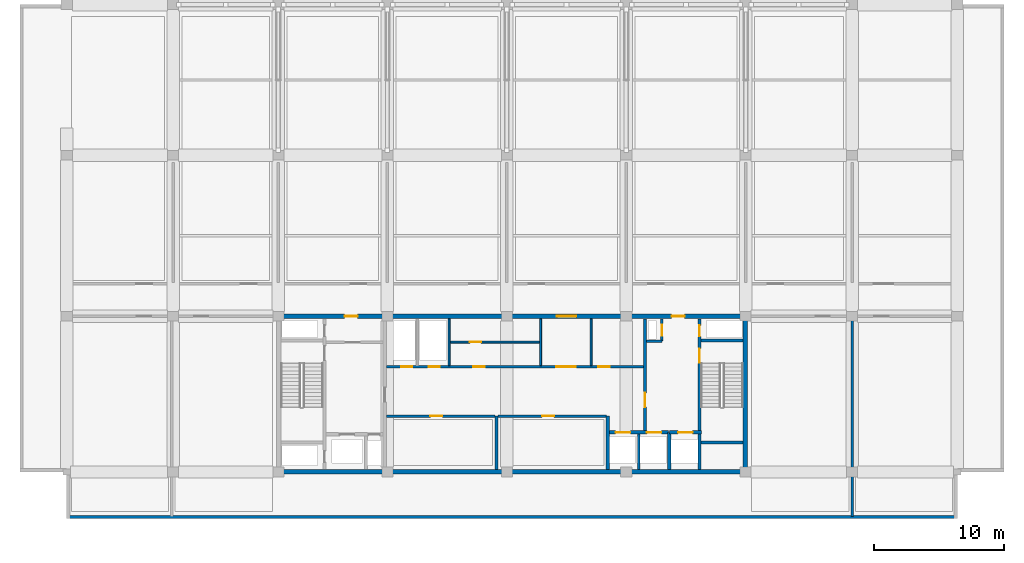
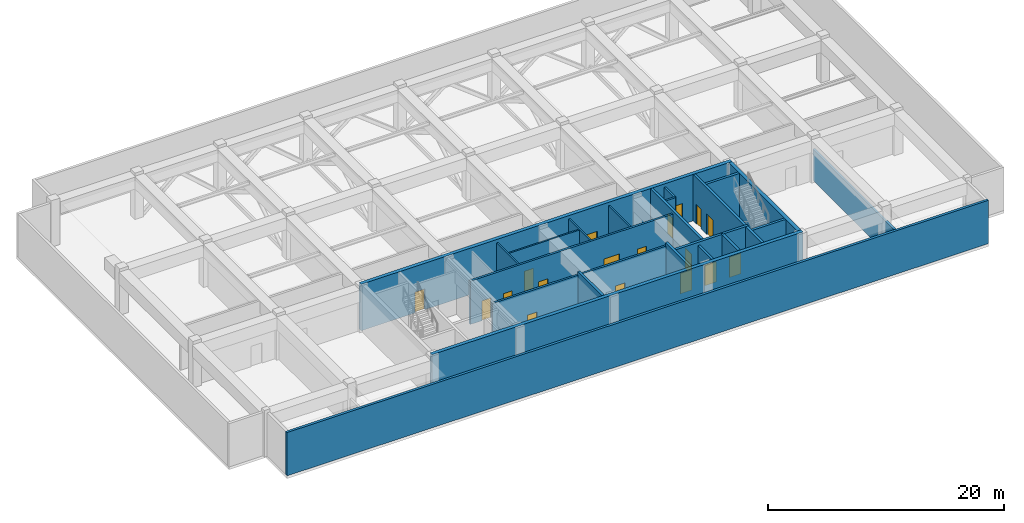
# One storey, part 6 of 11: 24 walls, 18 doors, 18 openings.
"""IFC4 building model written with IfcOpenShell, lengths in metres."""

from ifc_helpers import new_model, si_unit, direction, frame, frame_2d, origin, place, context, subcontext, project, spatial, rectangle, extrude, material, layer, layer_set, type_object, element, fill, save


model = new_model("IFC4")

# Units and contexts
model_context = context("Model", 3, precision=1e-05, world=origin(), true_north=direction((0.0, 1.0)))
body_context = subcontext(model_context, "Body", "Model", "MODEL_VIEW")
ifc_project = project(units=[si_unit("LENGTHUNIT", "METRE"), si_unit("AREAUNIT", "SQUARE_METRE"), si_unit("VOLUMEUNIT", "CUBIC_METRE"), si_unit("PLANEANGLEUNIT", "RADIAN"), si_unit("MASSUNIT", "GRAM", prefix="KILO")], contexts=[model_context])

# Site, building, storey
site_placement = place(None, origin())
site = spatial("IfcSite", under=ifc_project, at=site_placement, CompositionType="ELEMENT")
building_placement = place(site_placement, origin())
building = spatial("IfcBuilding", under=site, at=building_placement, Name="Korimba Cascade Residences", CompositionType="ELEMENT")
storey_placement = place(building_placement, frame((0.0, 0.0, 223.85009765625)))
storey = spatial("IfcBuildingStorey", under=building, at=storey_placement, Name="L65", CompositionType="ELEMENT", Elevation=223.85009765625)

# Walls
ifc_material_1 = material(Name="Precast concrete C40/50", Category="concrete")
ifc_layer_1 = layer(ifc_material_1, 0.25)
ifc_layer_set_1 = layer_set([ifc_layer_1], Name="Precast concrete C40/50")
wall_type_1 = type_object("IfcWallType", Name="EW-PLNT-250", PredefinedType="SHEAR", material=ifc_layer_set_1)
wall_1_placement = place(storey_placement, frame((59.800048828125, 51.72509765625, 0.0), z_axis=(0.0, 0.0, 1.0), x_axis=(1.0, 0.0, 0.0)))
element("IfcWall", 1, at=wall_1_placement, inside=storey, type_object=wall_type_1, Name="L65 T1 Perimeter Stone Wall E00", PredefinedType="SHEAR", context=body_context, shape_type="SweptSolid", body=[
    extrude(rectangle(XDim=68.599853515625, YDim=0.25, at=frame_2d((34.2998046875, 0.0))), origin(), (0.0, 0.0, 1.0), 4.47998046875),
])
ifc_material_2 = material(Name="Concrete C65/80", Category="concrete")
ifc_layer_2 = layer(ifc_material_2, 0.35009765625)
ifc_layer_set_2 = layer_set([ifc_layer_2], Name="Concrete C65/80")
wall_type_2 = type_object("IfcWallType", Name="WAL-CORE-350", PredefinedType="SHEAR", material=ifc_layer_set_2)
wall_2_placement = place(storey_placement, frame((75.949951171875, 55.199951171875, 0.0), z_axis=(0.0, 0.0, 1.0), x_axis=(1.0, 0.0, 0.0)))
element("IfcWall", 2, at=wall_2_placement, inside=storey, type_object=wall_type_2, Name="L65 Core Shear Wall CW-L65-T1-S", PredefinedType="SHEAR", context=body_context, shape_type="SweptSolid", body=[
    extrude(rectangle(XDim=36.300048828125, YDim=0.35009765625, at=frame_2d((18.14990234375, 0.0))), origin(), (0.0, 0.0, 1.0), 4.7998046875),
])
wall_3_placement = place(storey_placement, frame((112.074951171875, 55.375, 0.0), z_axis=(0.0, 0.0, 1.0), x_axis=(0.0, 1.0, 0.0)))
element("IfcWall", 3, at=wall_3_placement, inside=storey, type_object=wall_type_2, Name="L65 Core Shear Wall CW-L65-T1-E", PredefinedType="SHEAR", context=body_context, shape_type="SweptSolid", body=[
    extrude(rectangle(XDim=11.64990234375, YDim=0.35009765625, at=frame_2d((5.824951171875, 0.0))), origin(), (0.0, 0.0, 1.0), 4.7998046875),
])

# Wall, openings, doors
wall_4_placement = place(storey_placement, frame((75.949951171875, 67.199951171875, 0.0), z_axis=(0.0, 0.0, 1.0), x_axis=(1.0, 0.0, 0.0)))
wall_4 = element("IfcWall", 4, at=wall_4_placement, inside=storey, type_object=wall_type_2, Name="L65 Core Shear Wall CW-L65-T1-N", PredefinedType="SHEAR", context=body_context, shape_type="SweptSolid", body=[
    extrude(rectangle(XDim=36.300048828125, YDim=0.35009765625, at=frame_2d((18.14990234375, 0.0))), origin(), (0.0, 0.0, 1.0), 4.7998046875),
])
opening_1_placement = place(wall_4_placement, frame((5.25, 0.0, 0.0)))
opening_1 = element("IfcOpeningElement", 5, at=opening_1_placement, cuts=wall_4, Name="Opening D-FD5", PredefinedType="OPENING", context=body_context, shape_type="SweptSolid", body=[
    extrude(rectangle(XDim=1.0, YDim=2.14990234375, at=frame_2d((0.5, 1.074951171875))), frame((0.0, 0.18505859375, 0.0), z_axis=(0.0, -1.0, 0.0), x_axis=(1.0, 0.0, 0.0)), (0.0, 0.0, 1.0), 0.3701171875),
])
opening_2_placement = place(wall_4_placement, frame((21.60009765625, 0.0, 0.0)))
opening_2 = element("IfcOpeningElement", 6, at=opening_2_placement, cuts=wall_4, Name="Opening D-FD8", PredefinedType="OPENING", context=body_context, shape_type="SweptSolid", body=[
    extrude(rectangle(XDim=1.5, YDim=2.199951171875, at=frame_2d((0.75, 1.10009765625))), frame((0.0, 0.18505859375, 0.0), z_axis=(0.0, -1.0, 0.0), x_axis=(1.0, 0.0, 0.0)), (0.0, 0.0, 1.0), 0.3701171875),
])
opening_3_placement = place(wall_4_placement, frame((30.449951171875, 0.0, 0.0)))
opening_3 = element("IfcOpeningElement", 7, at=opening_3_placement, cuts=wall_4, Name="Opening D-FD5", PredefinedType="OPENING", context=body_context, shape_type="SweptSolid", body=[
    extrude(rectangle(XDim=1.0, YDim=2.14990234375, at=frame_2d((0.5, 1.074951171875))), frame((0.0, 0.18505859375, 0.0), z_axis=(0.0, -1.0, 0.0), x_axis=(1.0, 0.0, 0.0)), (0.0, 0.0, 1.0), 0.3701171875),
])
ifc_material_3 = material(Name="Fire-Rated Acoustic Timber Vestibule Door", Category="wood")
door_type_1 = type_object("IfcDoorType", Name="DR-FD90-1000", OperationType="NOTDEFINED", PredefinedType="DOOR", material=ifc_material_3)
door_1_placement = place(opening_1_placement, origin())
door_1 = element("IfcDoor", 8, at=door_1_placement, inside=storey, type_object=door_type_1, Name="L65 T1 West Core Vestibule Fire Door", OperationType="SINGLE_SWING_LEFT", OverallHeight=2.14990234375, OverallWidth=1.0, PredefinedType="DOOR", context=body_context, shape_type="SweptSolid", body=[
    extrude(rectangle(XDim=1.0, YDim=2.14990234375, at=frame_2d((0.5, 1.074951171875))), frame((0.0, 0.02490234375, 0.0), z_axis=(0.0, -1.0, 0.0), x_axis=(1.0, 0.0, 0.0)), (0.0, 0.0, 1.0), 0.050048828125),
])
fill(opening_1, door_1)
door_2_placement = place(opening_3_placement, origin())
door_2 = element("IfcDoor", 9, at=door_2_placement, inside=storey, type_object=door_type_1, Name="L65 T1 East Firefighting Vestibule Fire Door", OperationType="SINGLE_SWING_RIGHT", OverallHeight=2.14990234375, OverallWidth=1.0, PredefinedType="DOOR", context=body_context, shape_type="SweptSolid", body=[
    extrude(rectangle(XDim=1.0, YDim=2.14990234375, at=frame_2d((0.5, 1.074951171875))), frame((0.0, 0.02490234375, 0.0), z_axis=(0.0, -1.0, 0.0), x_axis=(1.0, 0.0, 0.0)), (0.0, 0.0, 1.0), 0.050048828125),
])
fill(opening_3, door_2)
ifc_material_4 = material(Name="Fire-Rated Glazed Lift Lobby Double Door", Category="glass")
door_type_2 = type_object("IfcDoorType", Name="DR-FD90-1500", OperationType="NOTDEFINED", PredefinedType="DOOR", material=ifc_material_4)
door_3_placement = place(opening_2_placement, origin())
door_3 = element("IfcDoor", 10, at=door_3_placement, inside=storey, type_object=door_type_2, Name="L65 T1 Lift Lobby Fire Door", OperationType="DOUBLE_DOOR_SINGLE_SWING", OverallHeight=2.199951171875, OverallWidth=1.5, PredefinedType="DOOR", context=body_context, shape_type="SweptSolid", body=[
    extrude(rectangle(XDim=1.5, YDim=2.199951171875, at=frame_2d((0.75, 1.10009765625))), frame((0.0, 0.02490234375, 0.0), z_axis=(0.0, -1.0, 0.0), x_axis=(1.0, 0.0, 0.0)), (0.0, 0.0, 1.0), 0.050048828125),
])
fill(opening_2, door_3)

# Wall
ifc_material_5 = material(Name="Insulated Acoustic Stud Partition", Category="gypsum")
ifc_layer_3 = layer(ifc_material_5, 0.14990234375)
ifc_layer_set_3 = layer_set([ifc_layer_3], Name="Insulated Acoustic Stud Partition")
wall_type_3 = type_object("IfcWallType", Name="WAL-PART-150", PredefinedType="PARTITIONING", material=ifc_layer_set_3)
wall_5_placement = place(storey_placement, frame((89.25, 63.39990234375, 0.0), z_axis=(0.0, 0.0, 1.0), x_axis=(0.0, 1.0, 0.0)))
element("IfcWall", 11, at=wall_5_placement, inside=storey, type_object=wall_type_3, Name="L65 Partition Wall CW-L65-T1-PRDIV", PredefinedType="PARTITIONING", context=body_context, shape_type="SweptSolid", body=[
    extrude(rectangle(XDim=3.60009765625, YDim=0.14990234375, at=frame_2d((1.800048828125, 0.0))), origin(), (0.0, 0.0, 1.0), 4.47998046875),
])

# Wall, opening, door
wall_6_placement = place(storey_placement, frame((89.25, 65.199951171875, 0.0), z_axis=(0.0, 0.0, 1.0), x_axis=(1.0, 0.0, 0.0)))
wall_6 = element("IfcWall", 12, at=wall_6_placement, inside=storey, type_object=wall_type_3, Name="L65 Partition Wall CW-L65-T1-CA2HZ", PredefinedType="PARTITIONING", context=body_context, shape_type="SweptSolid", body=[
    extrude(rectangle(XDim=7.050048828125, YDim=0.14990234375, at=frame_2d((3.52490234375, 0.0))), origin(), (0.0, 0.0, 1.0), 4.47998046875),
])
opening_4_placement = place(wall_6_placement, frame((1.60009765625, 0.0, 0.0)))
opening_4 = element("IfcOpeningElement", 13, at=opening_4_placement, cuts=wall_6, Name="Opening D-IN2", PredefinedType="OPENING", context=body_context, shape_type="SweptSolid", body=[
    extrude(rectangle(XDim=0.8798828125, YDim=2.06005859375, at=frame_2d((0.43994140625, 1.030029296875))), frame((0.0, 0.0849609375, 0.0), z_axis=(0.0, -1.0, 0.0), x_axis=(1.0, 0.0, 0.0)), (0.0, 0.0, 1.0), 0.169921875),
])
ifc_material_6 = material(Name="Acoustic Timber Bedroom Door", Category="wood")
door_type_3 = type_object("IfcDoorType", Name="DR-INT-880", OperationType="NOTDEFINED", PredefinedType="DOOR", material=ifc_material_6)
door_4_placement = place(opening_4_placement, origin())
door_4 = element("IfcDoor", 14, at=door_4_placement, inside=storey, type_object=door_type_3, Name="L65 Pram Store Door", OperationType="SINGLE_SWING_LEFT", OverallHeight=2.06005859375, OverallWidth=0.8798828125, PredefinedType="DOOR", context=body_context, shape_type="SweptSolid", body=[
    extrude(rectangle(XDim=0.8798828125, YDim=2.06005859375, at=frame_2d((0.43994140625, 1.030029296875))), frame((0.0, 0.02490234375, 0.0), z_axis=(0.0, -1.0, 0.0), x_axis=(1.0, 0.0, 0.0)), (0.0, 0.0, 1.0), 0.050048828125),
])
fill(opening_4, door_4)

# Walls
for number, where, z_axis, x_axis, name in (
    (15, (96.300048828125, 63.39990234375, 0.0), (0.0, 0.0, 1.0), (0.0, 1.0, 0.0), "L65 Partition Wall CW-L65-T1-THW"),
    (16, (100.199951171875, 63.39990234375, 0.0), (0.0, 0.0, 1.0), (0.0, 1.0, 0.0), "L65 Partition Wall CW-L65-T1-THE"),
):
    element("IfcWall", number, at=place(storey_placement, frame(where, z_axis=z_axis, x_axis=x_axis)), inside=storey, type_object=wall_type_3, Name=name, PredefinedType="PARTITIONING", context=body_context, shape_type="SweptSolid", body=[
        extrude(rectangle(XDim=3.60009765625, YDim=0.14990234375, at=frame_2d((1.800048828125, 0.0))), origin(), (0.0, 0.0, 1.0), 4.47998046875),
    ])

# Wall, opening, door
ifc_material_7 = material(Name="Concrete C40/50", Category="concrete")
ifc_layer_4 = layer(ifc_material_7, 0.199951171875)
ifc_layer_set_4 = layer_set([ifc_layer_4], Name="Concrete C40/50")
wall_type_4 = type_object("IfcWallType", Name="WAL-PART-200", PredefinedType="PARTITIONING", material=ifc_layer_set_4)
wall_7_placement = place(storey_placement, frame((84.419921875, 59.5, 0.0), z_axis=(0.0, 0.0, 1.0), x_axis=(1.0, 0.0, 0.0)))
wall_7 = element("IfcWall", 17, at=wall_7_placement, inside=storey, type_object=wall_type_4, Name="L65 Partition Wall CW-L65-T1-B1RN", PredefinedType="PARTITIONING", context=body_context, shape_type="SweptSolid", body=[
    extrude(rectangle(XDim=8.360107421875, YDim=0.199951171875, at=frame_2d((4.18017578125, 0.0))), origin(), (0.0, 0.0, 1.0), 4.47998046875),
])
opening_5_placement = place(wall_7_placement, frame((3.39990234375, 0.0, 0.0)))
opening_5 = element("IfcOpeningElement", 18, at=opening_5_placement, cuts=wall_7, Name="Opening D-ST1", PredefinedType="OPENING", context=body_context, shape_type="SweptSolid", body=[
    extrude(rectangle(XDim=0.919921875, YDim=2.080078125, at=frame_2d((0.4599609375, 1.0400390625))), frame((0.0, 0.10986328125, 0.0), z_axis=(0.0, -1.0, 0.0), x_axis=(1.0, 0.0, 0.0)), (0.0, 0.0, 1.0), 0.219970703125),
])
ifc_material_8 = material(Name="Fire-Rated Core Store Door", Category="wood")
door_type_4 = type_object("IfcDoorType", Name="DR-FD60-920", OperationType="NOTDEFINED", PredefinedType="DOOR", material=ifc_material_8)
door_5_placement = place(opening_5_placement, origin())
door_5 = element("IfcDoor", 19, at=door_5_placement, inside=storey, type_object=door_type_4, Name="L65 Resident Storage Door", OperationType="SINGLE_SWING_LEFT", OverallHeight=2.080078125, OverallWidth=0.919921875, PredefinedType="DOOR", context=body_context, shape_type="SweptSolid", body=[
    extrude(rectangle(XDim=0.919921875, YDim=2.080078125, at=frame_2d((0.4599609375, 1.0400390625))), frame((0.0, 0.02490234375, 0.0), z_axis=(0.0, -1.0, 0.0), x_axis=(1.0, 0.0, 0.0)), (0.0, 0.0, 1.0), 0.050048828125),
])
fill(opening_5, door_5)

wall_8_placement = place(storey_placement, frame((93.02001953125, 59.5, 0.0), z_axis=(0.0, 0.0, 1.0), x_axis=(1.0, 0.0, 0.0)))
wall_8 = element("IfcWall", 20, at=wall_8_placement, inside=storey, type_object=wall_type_4, Name="L65 Partition Wall CW-L65-T1-B2RN", PredefinedType="PARTITIONING", context=body_context, shape_type="SweptSolid", body=[
    extrude(rectangle(XDim=8.35986328125, YDim=0.199951171875, at=frame_2d((4.179931640625, 0.0))), origin(), (0.0, 0.0, 1.0), 4.47998046875),
])
opening_6_placement = place(wall_8_placement, frame((3.39990234375, 0.0, 0.0)))
opening_6 = element("IfcOpeningElement", 21, at=opening_6_placement, cuts=wall_8, Name="Opening D-ST1", PredefinedType="OPENING", context=body_context, shape_type="SweptSolid", body=[
    extrude(rectangle(XDim=0.919921875, YDim=2.080078125, at=frame_2d((0.4599609375, 1.0400390625))), frame((0.0, 0.10986328125, 0.0), z_axis=(0.0, -1.0, 0.0), x_axis=(1.0, 0.0, 0.0)), (0.0, 0.0, 1.0), 0.219970703125),
])
door_6_placement = place(opening_6_placement, origin())
door_6 = element("IfcDoor", 22, at=door_6_placement, inside=storey, type_object=door_type_4, Name="L65 Wine Cellar Store Door", OperationType="SINGLE_SWING_RIGHT", OverallHeight=2.080078125, OverallWidth=0.919921875, PredefinedType="DOOR", context=body_context, shape_type="SweptSolid", body=[
    extrude(rectangle(XDim=0.919921875, YDim=2.080078125, at=frame_2d((0.4599609375, 1.0400390625))), frame((0.0, 0.02490234375, 0.0), z_axis=(0.0, -1.0, 0.0), x_axis=(1.0, 0.0, 0.0)), (0.0, 0.0, 1.0), 0.050048828125),
])
fill(opening_6, door_6)

# Wall
wall_9_placement = place(storey_placement, frame((103.85009765625, 55.39990234375, 0.0), z_axis=(0.0, 0.0, 1.0), x_axis=(0.0, 1.0, 0.0)))
element("IfcWall", 23, at=wall_9_placement, inside=storey, type_object=wall_type_4, Name="L65 Partition Wall CW-L65-T1-B3D1", PredefinedType="PARTITIONING", context=body_context, shape_type="SweptSolid", body=[
    extrude(rectangle(XDim=2.72021484375, YDim=0.199951171875, at=frame_2d((1.360107421875, 0.0))), origin(), (0.0, 0.0, 1.0), 4.47998046875),
])

# Wall, openings, doors
wall_10_placement = place(storey_placement, frame((84.419921875, 63.300048828125, 0.0), z_axis=(0.0, 0.0, 1.0), x_axis=(1.0, 0.0, 0.0)))
wall_10 = element("IfcWall", 24, at=wall_10_placement, inside=storey, type_object=wall_type_4, Name="L65 Partition Wall CW-L65-T1-SRVROW", PredefinedType="PARTITIONING", context=body_context, shape_type="SweptSolid", body=[
    extrude(rectangle(XDim=19.830078125, YDim=0.199951171875, at=frame_2d((9.9150390625, 0.0))), origin(), (0.0, 0.0, 1.0), 4.47998046875),
])
opening_7_placement = place(wall_10_placement, frame((1.14990234375, 0.0, 0.0)))
opening_7 = element("IfcOpeningElement", 25, at=opening_7_placement, cuts=wall_10, Name="Opening D-RS1", PredefinedType="OPENING", context=body_context, shape_type="SweptSolid", body=[
    extrude(rectangle(XDim=0.85009765625, YDim=2.050048828125, at=frame_2d((0.425048828125, 1.02490234375))), frame((0.0, 0.10986328125, 0.0), z_axis=(0.0, -1.0, 0.0), x_axis=(1.0, 0.0, 0.0)), (0.0, 0.0, 1.0), 0.219970703125),
])
opening_8_placement = place(wall_10_placement, frame((3.25, 0.0, 0.0)))
opening_8 = element("IfcOpeningElement", 26, at=opening_8_placement, cuts=wall_10, Name="Opening D-RS1", PredefinedType="OPENING", context=body_context, shape_type="SweptSolid", body=[
    extrude(rectangle(XDim=0.85009765625, YDim=2.050048828125, at=frame_2d((0.425048828125, 1.02490234375))), frame((0.0, 0.10986328125, 0.0), z_axis=(0.0, -1.0, 0.0), x_axis=(1.0, 0.0, 0.0)), (0.0, 0.0, 1.0), 0.219970703125),
])
opening_9_placement = place(wall_10_placement, frame((13.080078125, 0.0, 0.0)))
opening_9 = element("IfcOpeningElement", 27, at=opening_9_placement, cuts=wall_10, Name="Opening D-FD8", PredefinedType="OPENING", context=body_context, shape_type="SweptSolid", body=[
    extrude(rectangle(XDim=1.5, YDim=2.199951171875, at=frame_2d((0.75, 1.10009765625))), frame((0.0, 0.10986328125, 0.0), z_axis=(0.0, -1.0, 0.0), x_axis=(1.0, 0.0, 0.0)), (0.0, 0.0, 1.0), 0.219970703125),
])
opening_10_placement = place(wall_10_placement, frame((6.679931640625, 0.0, 0.0)))
opening_10 = element("IfcOpeningElement", 28, at=opening_10_placement, cuts=wall_10, Name="Opening D-IN1", PredefinedType="OPENING", context=body_context, shape_type="SweptSolid", body=[
    extrude(rectangle(XDim=0.919921875, YDim=2.080078125, at=frame_2d((0.4599609375, 1.0400390625))), frame((0.0, 0.10986328125, 0.0), z_axis=(0.0, -1.0, 0.0), x_axis=(1.0, 0.0, 0.0)), (0.0, 0.0, 1.0), 0.219970703125),
])
opening_11_placement = place(wall_10_placement, frame((16.330078125, 0.0, 0.0)))
opening_11 = element("IfcOpeningElement", 29, at=opening_11_placement, cuts=wall_10, Name="Opening D-IN2", PredefinedType="OPENING", context=body_context, shape_type="SweptSolid", body=[
    extrude(rectangle(XDim=0.8798828125, YDim=2.06005859375, at=frame_2d((0.43994140625, 1.030029296875))), frame((0.0, 0.10986328125, 0.0), z_axis=(0.0, -1.0, 0.0), x_axis=(1.0, 0.0, 0.0)), (0.0, 0.0, 1.0), 0.219970703125),
])
ifc_material_9 = material(Name="Fire-Rated Steel Riser Access Door", Category="steel")
door_type_5 = type_object("IfcDoorType", Name="DR-FD60-850", OperationType="NOTDEFINED", PredefinedType="DOOR", material=ifc_material_9)
door_7_placement = place(opening_7_placement, origin())
door_7 = element("IfcDoor", 30, at=door_7_placement, inside=storey, type_object=door_type_5, Name="L65 Electrical Riser Door", OperationType="SINGLE_SWING_RIGHT", OverallHeight=2.050048828125, OverallWidth=0.85009765625, PredefinedType="DOOR", context=body_context, shape_type="SweptSolid", body=[
    extrude(rectangle(XDim=0.85009765625, YDim=2.050048828125, at=frame_2d((0.425048828125, 1.02490234375))), frame((0.0, 0.02490234375, 0.0), z_axis=(0.0, -1.0, 0.0), x_axis=(1.0, 0.0, 0.0)), (0.0, 0.0, 1.0), 0.050048828125),
])
fill(opening_7, door_7)
door_8_placement = place(opening_8_placement, origin())
door_8 = element("IfcDoor", 31, at=door_8_placement, inside=storey, type_object=door_type_5, Name="L65 Plumbing Riser Door", OperationType="SINGLE_SWING_LEFT", OverallHeight=2.050048828125, OverallWidth=0.85009765625, PredefinedType="DOOR", context=body_context, shape_type="SweptSolid", body=[
    extrude(rectangle(XDim=0.85009765625, YDim=2.050048828125, at=frame_2d((0.425048828125, 1.02490234375))), frame((0.0, 0.02490234375, 0.0), z_axis=(0.0, -1.0, 0.0), x_axis=(1.0, 0.0, 0.0)), (0.0, 0.0, 1.0), 0.050048828125),
])
fill(opening_8, door_8)
door_9_placement = place(opening_9_placement, origin())
door_9 = element("IfcDoor", 32, at=door_9_placement, inside=storey, type_object=door_type_2, Name="L65 Lift Lobby Foyer Archway Door", OperationType="DOUBLE_DOOR_SINGLE_SWING", OverallHeight=2.199951171875, OverallWidth=1.5, PredefinedType="DOOR", context=body_context, shape_type="SweptSolid", body=[
    extrude(rectangle(XDim=1.5, YDim=2.199951171875, at=frame_2d((0.75, 1.10009765625))), frame((0.0, 0.02490234375, 0.0), z_axis=(0.0, -1.0, 0.0), x_axis=(1.0, 0.0, 0.0)), (0.0, 0.0, 1.0), 0.050048828125),
])
fill(opening_9, door_9)
door_10_placement = place(opening_11_placement, origin())
door_10 = element("IfcDoor", 33, at=door_10_placement, inside=storey, type_object=door_type_3, Name="L65 Staff WC Door", OperationType="SINGLE_SWING_LEFT", OverallHeight=2.06005859375, OverallWidth=0.8798828125, PredefinedType="DOOR", context=body_context, shape_type="SweptSolid", body=[
    extrude(rectangle(XDim=0.8798828125, YDim=2.06005859375, at=frame_2d((0.43994140625, 1.030029296875))), frame((0.0, 0.02490234375, 0.0), z_axis=(0.0, -1.0, 0.0), x_axis=(1.0, 0.0, 0.0)), (0.0, 0.0, 1.0), 0.050048828125),
])
fill(opening_11, door_10)
ifc_material_10 = material(Name="Acoustic Timber Living Door", Category="wood")
door_type_6 = type_object("IfcDoorType", Name="DR-INT-920", OperationType="NOTDEFINED", PredefinedType="DOOR", material=ifc_material_10)
door_11_placement = place(opening_10_placement, origin())
door_11 = element("IfcDoor", 34, at=door_11_placement, inside=storey, type_object=door_type_6, Name="L65 Locker Room Door", OperationType="SINGLE_SWING_RIGHT", OverallHeight=2.080078125, OverallWidth=0.919921875, PredefinedType="DOOR", context=body_context, shape_type="SweptSolid", body=[
    extrude(rectangle(XDim=0.919921875, YDim=2.080078125, at=frame_2d((0.4599609375, 1.0400390625))), frame((0.0, 0.02490234375, 0.0), z_axis=(0.0, -1.0, 0.0), x_axis=(1.0, 0.0, 0.0)), (0.0, 0.0, 1.0), 0.050048828125),
])
fill(opening_10, door_11)

# Wall
wall_11_placement = place(storey_placement, frame((104.449951171875, 65.280029296875, 0.0), z_axis=(0.0, 0.0, 1.0), x_axis=(1.0, 0.0, 0.0)))
element("IfcWall", 35, at=wall_11_placement, inside=storey, type_object=wall_type_4, Name="L65 Partition Wall CW-L65-T1-HYDW2S", PredefinedType="PARTITIONING", context=body_context, shape_type="SweptSolid", body=[
    extrude(rectangle(XDim=1.199951171875, YDim=0.199951171875, at=frame_2d((0.60009765625, 0.0))), origin(), (0.0, 0.0, 1.0), 4.47998046875),
])

# Wall, opening, door
wall_12_placement = place(storey_placement, frame((105.64990234375, 65.280029296875, 0.0), z_axis=(0.0, 0.0, 1.0), x_axis=(0.0, 1.0, 0.0)))
wall_12 = element("IfcWall", 36, at=wall_12_placement, inside=storey, type_object=wall_type_4, Name="L65 Partition Wall CW-L65-T1-HYDW2E", PredefinedType="PARTITIONING", context=body_context, shape_type="SweptSolid", body=[
    extrude(rectangle(XDim=1.719970703125, YDim=0.199951171875, at=frame_2d((0.85986328125, 0.0))), origin(), (0.0, 0.0, 1.0), 4.47998046875),
])
opening_12_placement = place(wall_12_placement, frame((0.39990234375, 0.0, 0.0)))
opening_12 = element("IfcOpeningElement", 37, at=opening_12_placement, cuts=wall_12, Name="Opening D-RS1", PredefinedType="OPENING", context=body_context, shape_type="SweptSolid", body=[
    extrude(rectangle(XDim=0.85009765625, YDim=2.050048828125, at=frame_2d((0.425048828125, 1.02490234375))), frame((0.0, 0.10986328125, 0.0), z_axis=(0.0, -1.0, 0.0), x_axis=(1.0, 0.0, 0.0)), (0.0, 0.0, 1.0), 0.219970703125),
])
door_12_placement = place(opening_12_placement, origin())
door_12 = element("IfcDoor", 38, at=door_12_placement, inside=storey, type_object=door_type_5, Name="L65 East Hydrant Door", OperationType="SINGLE_SWING_RIGHT", OverallHeight=2.050048828125, OverallWidth=0.85009765625, PredefinedType="DOOR", context=body_context, shape_type="SweptSolid", body=[
    extrude(rectangle(XDim=0.85009765625, YDim=2.050048828125, at=frame_2d((0.425048828125, 1.02490234375))), frame((0.0, 0.02490234375, 0.0), z_axis=(0.0, -1.0, 0.0), x_axis=(1.0, 0.0, 0.0)), (0.0, 0.0, 1.0), 0.050048828125),
])
fill(opening_12, door_12)

# Walls
wall_13_placement = place(storey_placement, frame((120.300048828125, 51.75, 0.0), z_axis=(0.0, 0.0, 1.0), x_axis=(0.0, 1.0, 0.0)))
element("IfcWall", 39, at=wall_13_placement, inside=storey, type_object=wall_type_4, Name="L65 Partition Wall WAL-L65-T1-RWEV", PredefinedType="PARTITIONING", context=body_context, shape_type="SweptSolid", body=[
    extrude(rectangle(XDim=15.39990234375, YDim=0.199951171875, at=frame_2d((7.699951171875, 0.0))), origin(), (0.0, 0.0, 1.0), 3.22998046875),
])
ifc_material_11 = material(Name="Concrete C50/60", Category="concrete")
ifc_layer_5 = layer(ifc_material_11, 0.25)
ifc_layer_set_5 = layer_set([ifc_layer_5], Name="Concrete C50/60")
wall_type_5 = type_object("IfcWallType", Name="WAL-SHAFT-250", PredefinedType="SHEAR", material=ifc_layer_set_5)
for number, where, z_axis, x_axis, name in (
    (40, (92.89990234375, 55.39990234375, 0.0), (0.0, 0.0, 1.0), (0.0, 1.0, 0.0), "L65 Core Shear Wall CW-L65-T1-B12DIV"),
    (41, (101.47998046875, 55.39990234375, 0.0), (0.0, 0.0, 1.0), (0.0, 1.0, 0.0), "L65 Core Shear Wall CW-L65-T1-B23DIV"),
):
    element("IfcWall", number, at=place(storey_placement, frame(where, z_axis=z_axis, x_axis=x_axis)), inside=storey, type_object=wall_type_5, Name=name, PredefinedType="SHEAR", context=body_context, shape_type="SweptSolid", body=[
        extrude(rectangle(XDim=4.10009765625, YDim=0.25, at=frame_2d((2.050048828125, 0.0))), origin(), (0.0, 0.0, 1.0), 4.7998046875),
    ])

# Wall, openings, doors
wall_14_placement = place(storey_placement, frame((101.550048828125, 58.25, 0.0), z_axis=(0.0, 0.0, 1.0), x_axis=(1.0, 0.0, 0.0)))
wall_14 = element("IfcWall", 42, at=wall_14_placement, inside=storey, type_object=wall_type_5, Name="L65 Core Shear Wall CW-L65-T1-B3N", PredefinedType="SHEAR", context=body_context, shape_type="SweptSolid", body=[
    extrude(rectangle(XDim=4.599853515625, YDim=0.25, at=frame_2d((2.2998046875, 0.0))), origin(), (0.0, 0.0, 1.0), 4.7998046875),
])
opening_13_placement = place(wall_14_placement, frame((0.5400390625, 0.0, 0.0)))
opening_13 = element("IfcOpeningElement", 43, at=opening_13_placement, cuts=wall_14, Name="Opening LD-01", PredefinedType="OPENING", context=body_context, shape_type="SweptSolid", body=[
    extrude(rectangle(XDim=1.1201171875, YDim=2.1201171875, at=frame_2d((0.56005859375, 1.06005859375))), frame((0.0, 0.135009765625, 0.0), z_axis=(0.0, -1.0, 0.0), x_axis=(1.0, 0.0, 0.0)), (0.0, 0.0, 1.0), 0.27001953125),
])
opening_14_placement = place(wall_14_placement, frame((2.93994140625, 0.0, 0.0)))
opening_14 = element("IfcOpeningElement", 44, at=opening_14_placement, cuts=wall_14, Name="Opening LD-01", PredefinedType="OPENING", context=body_context, shape_type="SweptSolid", body=[
    extrude(rectangle(XDim=1.1201171875, YDim=2.1201171875, at=frame_2d((0.56005859375, 1.06005859375))), frame((0.0, 0.135009765625, 0.0), z_axis=(0.0, -1.0, 0.0), x_axis=(1.0, 0.0, 0.0)), (0.0, 0.0, 1.0), 0.27001953125),
])
ifc_material_12 = material(Name="Stainless Steel Lift Landing Sliding Door", Category="steel")
door_type_7 = type_object("IfcDoorType", Name="DR-LIFT-1100", OperationType="NOTDEFINED", PredefinedType="DOOR", material=ifc_material_12)
door_13_placement = place(opening_13_placement, origin())
door_13 = element("IfcDoor", 45, at=door_13_placement, inside=storey, type_object=door_type_7, Name="L65 Lift Landing Door PL-W7", OperationType="SLIDING_TO_LEFT", OverallHeight=2.1201171875, OverallWidth=1.1201171875, PredefinedType="DOOR", context=body_context, shape_type="SweptSolid", body=[
    extrude(rectangle(XDim=1.1201171875, YDim=2.1201171875, at=frame_2d((0.56005859375, 1.06005859375))), frame((0.0, 0.02490234375, 0.0), z_axis=(0.0, -1.0, 0.0), x_axis=(1.0, 0.0, 0.0)), (0.0, 0.0, 1.0), 0.050048828125),
])
fill(opening_13, door_13)
door_14_placement = place(opening_14_placement, origin())
door_14 = element("IfcDoor", 46, at=door_14_placement, inside=storey, type_object=door_type_7, Name="L65 Lift Landing Door PL-W8", OperationType="SLIDING_TO_LEFT", OverallHeight=2.1201171875, OverallWidth=1.1201171875, PredefinedType="DOOR", context=body_context, shape_type="SweptSolid", body=[
    extrude(rectangle(XDim=1.1201171875, YDim=2.1201171875, at=frame_2d((0.56005859375, 1.06005859375))), frame((0.0, 0.02490234375, 0.0), z_axis=(0.0, -1.0, 0.0), x_axis=(1.0, 0.0, 0.0)), (0.0, 0.0, 1.0), 0.050048828125),
])
fill(opening_14, door_14)

# Wall
wall_15_placement = place(storey_placement, frame((106.219970703125, 55.39990234375, 0.0), z_axis=(0.0, 0.0, 1.0), x_axis=(0.0, 1.0, 0.0)))
element("IfcWall", 47, at=wall_15_placement, inside=storey, type_object=wall_type_5, Name="L65 Core Shear Wall CW-L65-T1-FF2W", PredefinedType="SHEAR", context=body_context, shape_type="SweptSolid", body=[
    extrude(rectangle(XDim=2.85009765625, YDim=0.25, at=frame_2d((1.425048828125, 0.0))), origin(), (0.0, 0.0, 1.0), 4.7998046875),
])

# Wall, opening, door
wall_16_placement = place(storey_placement, frame((106.219970703125, 58.25, 0.0), z_axis=(0.0, 0.0, 1.0), x_axis=(1.0, 0.0, 0.0)))
wall_16 = element("IfcWall", 48, at=wall_16_placement, inside=storey, type_object=wall_type_5, Name="L65 Core Shear Wall CW-L65-T1-FF2N", PredefinedType="SHEAR", context=body_context, shape_type="SweptSolid", body=[
    extrude(rectangle(XDim=2.4599609375, YDim=0.25, at=frame_2d((1.22998046875, 0.0))), origin(), (0.0, 0.0, 1.0), 4.7998046875),
])
opening_15_placement = place(wall_16_placement, frame((0.669921875, 0.0, 0.0)))
opening_15 = element("IfcOpeningElement", 49, at=opening_15_placement, cuts=wall_16, Name="Opening LD-01", PredefinedType="OPENING", context=body_context, shape_type="SweptSolid", body=[
    extrude(rectangle(XDim=1.1201171875, YDim=2.1201171875, at=frame_2d((0.56005859375, 1.06005859375))), frame((0.0, 0.135009765625, 0.0), z_axis=(0.0, -1.0, 0.0), x_axis=(1.0, 0.0, 0.0)), (0.0, 0.0, 1.0), 0.27001953125),
])
door_15_placement = place(opening_15_placement, origin())
door_15 = element("IfcDoor", 50, at=door_15_placement, inside=storey, type_object=door_type_7, Name="L65 Firefighting Lift Landing Door FFL-W2", OperationType="SLIDING_TO_RIGHT", OverallHeight=2.1201171875, OverallWidth=1.1201171875, PredefinedType="DOOR", context=body_context, shape_type="SweptSolid", body=[
    extrude(rectangle(XDim=1.1201171875, YDim=2.1201171875, at=frame_2d((0.56005859375, 1.06005859375))), frame((0.0, 0.02490234375, 0.0), z_axis=(0.0, -1.0, 0.0), x_axis=(1.0, 0.0, 0.0)), (0.0, 0.0, 1.0), 0.050048828125),
])
fill(opening_15, door_15)

wall_17_placement = place(storey_placement, frame((104.35009765625, 58.39990234375, 0.0), z_axis=(0.0, 0.0, 1.0), x_axis=(0.0, 1.0, 0.0)))
wall_17 = element("IfcWall", 51, at=wall_17_placement, inside=storey, type_object=wall_type_5, Name="L65 Core Shear Wall CW-L65-T1-LLEV", PredefinedType="SHEAR", context=body_context, shape_type="SweptSolid", body=[
    extrude(rectangle(XDim=8.60009765625, YDim=0.25, at=frame_2d((4.300048828125, 0.0))), origin(), (0.0, 0.0, 1.0), 4.7998046875),
])
opening_16_placement = place(wall_17_placement, frame((1.800048828125, 0.0, 0.0)))
opening_16 = element("IfcOpeningElement", 52, at=opening_16_placement, cuts=wall_17, Name="Opening D-FD1", PredefinedType="OPENING", context=body_context, shape_type="SweptSolid", body=[
    extrude(rectangle(XDim=1.10009765625, YDim=2.10009765625, at=frame_2d((0.550048828125, 1.050048828125))), frame((0.0, 0.135009765625, 0.0), z_axis=(0.0, -1.0, 0.0), x_axis=(1.0, 0.0, 0.0)), (0.0, 0.0, 1.0), 0.27001953125),
])
ifc_material_13 = material(Name="Fire-Rated Steel Core Door", Category="steel")
door_type_8 = type_object("IfcDoorType", Name="DR-FD120-1100", OperationType="NOTDEFINED", PredefinedType="DOOR", material=ifc_material_13)
door_16_placement = place(opening_16_placement, origin())
door_16 = element("IfcDoor", 53, at=door_16_placement, inside=storey, type_object=door_type_8, Name="L65 Lift Lobby to East Firefighting Lobby Door", OperationType="SINGLE_SWING_LEFT", OverallHeight=2.10009765625, OverallWidth=1.10009765625, PredefinedType="DOOR", context=body_context, shape_type="SweptSolid", body=[
    extrude(rectangle(XDim=1.10009765625, YDim=2.10009765625, at=frame_2d((0.550048828125, 1.050048828125))), frame((0.0, 0.02490234375, 0.0), z_axis=(0.0, -1.0, 0.0), x_axis=(1.0, 0.0, 0.0)), (0.0, 0.0, 1.0), 0.050048828125),
])
fill(opening_16, door_16)

# Wall, openings, doors
wall_18_placement = place(storey_placement, frame((108.534912109375, 55.39990234375, 0.0), z_axis=(0.0, 0.0, 1.0), x_axis=(0.0, 1.0, 0.0)))
wall_18 = element("IfcWall", 54, at=wall_18_placement, inside=storey, type_object=wall_type_5, Name="L65 Core Shear Wall CW-L65-T1-STW2W", PredefinedType="SHEAR", context=body_context, shape_type="SweptSolid", body=[
    extrude(rectangle(XDim=11.60009765625, YDim=0.25, at=frame_2d((5.800048828125, 0.0))), origin(), (0.0, 0.0, 1.0), 4.7998046875),
])
opening_17_placement = place(wall_18_placement, frame((8.199951171875, 0.0, 0.0)))
opening_17 = element("IfcOpeningElement", 55, at=opening_17_placement, cuts=wall_18, Name="Opening D-FD1", PredefinedType="OPENING", context=body_context, shape_type="SweptSolid", body=[
    extrude(rectangle(XDim=1.10009765625, YDim=2.10009765625, at=frame_2d((0.550048828125, 1.050048828125))), frame((0.0, 0.135009765625, 0.0), z_axis=(0.0, -1.0, 0.0), x_axis=(1.0, 0.0, 0.0)), (0.0, 0.0, 1.0), 0.27001953125),
])
opening_18_placement = place(wall_18_placement, frame((10.25, 0.0, 0.0)))
opening_18 = element("IfcOpeningElement", 56, at=opening_18_placement, cuts=wall_18, Name="Opening D-RS1", PredefinedType="OPENING", context=body_context, shape_type="SweptSolid", body=[
    extrude(rectangle(XDim=0.85009765625, YDim=2.050048828125, at=frame_2d((0.425048828125, 1.02490234375))), frame((0.0, 0.135009765625, 0.0), z_axis=(0.0, -1.0, 0.0), x_axis=(1.0, 0.0, 0.0)), (0.0, 0.0, 1.0), 0.27001953125),
])
door_17_placement = place(opening_17_placement, origin())
door_17 = element("IfcDoor", 57, at=door_17_placement, inside=storey, type_object=door_type_8, Name="L65 Fire Stair ST-W2 Door", OperationType="SINGLE_SWING_RIGHT", OverallHeight=2.10009765625, OverallWidth=1.10009765625, PredefinedType="DOOR", context=body_context, shape_type="SweptSolid", body=[
    extrude(rectangle(XDim=1.10009765625, YDim=2.10009765625, at=frame_2d((0.550048828125, 1.050048828125))), frame((0.0, 0.02490234375, 0.0), z_axis=(0.0, -1.0, 0.0), x_axis=(1.0, 0.0, 0.0)), (0.0, 0.0, 1.0), 0.050048828125),
])
fill(opening_17, door_17)
door_18_placement = place(opening_18_placement, origin())
door_18 = element("IfcDoor", 58, at=door_18_placement, inside=storey, type_object=door_type_5, Name="L65 East Riser Door", OperationType="SINGLE_SWING_LEFT", OverallHeight=2.050048828125, OverallWidth=0.85009765625, PredefinedType="DOOR", context=body_context, shape_type="SweptSolid", body=[
    extrude(rectangle(XDim=0.85009765625, YDim=2.050048828125, at=frame_2d((0.425048828125, 1.02490234375))), frame((0.0, 0.02490234375, 0.0), z_axis=(0.0, -1.0, 0.0), x_axis=(1.0, 0.0, 0.0)), (0.0, 0.0, 1.0), 0.050048828125),
])
fill(opening_18, door_18)

# Walls
for number, where, z_axis, x_axis, name in (
    (59, (108.659912109375, 57.47509765625, 0.0), (0.0, 0.0, 1.0), (1.0, 0.0, 0.0), "L65 Core Shear Wall CW-L65-T1-STW2S"),
    (60, (108.659912109375, 65.324951171875, 0.0), (0.0, 0.0, 1.0), (1.0, 0.0, 0.0), "L65 Core Shear Wall CW-L65-T1-STW2N"),
):
    element("IfcWall", number, at=place(storey_placement, frame(where, z_axis=z_axis, x_axis=x_axis)), inside=storey, type_object=wall_type_5, Name=name, PredefinedType="SHEAR", context=body_context, shape_type="SweptSolid", body=[
        extrude(rectangle(XDim=3.239990234375, YDim=0.25, at=frame_2d((1.6201171875, 0.0))), origin(), (0.0, 0.0, 1.0), 4.7998046875),
    ])

save(model, "model.ifc")
